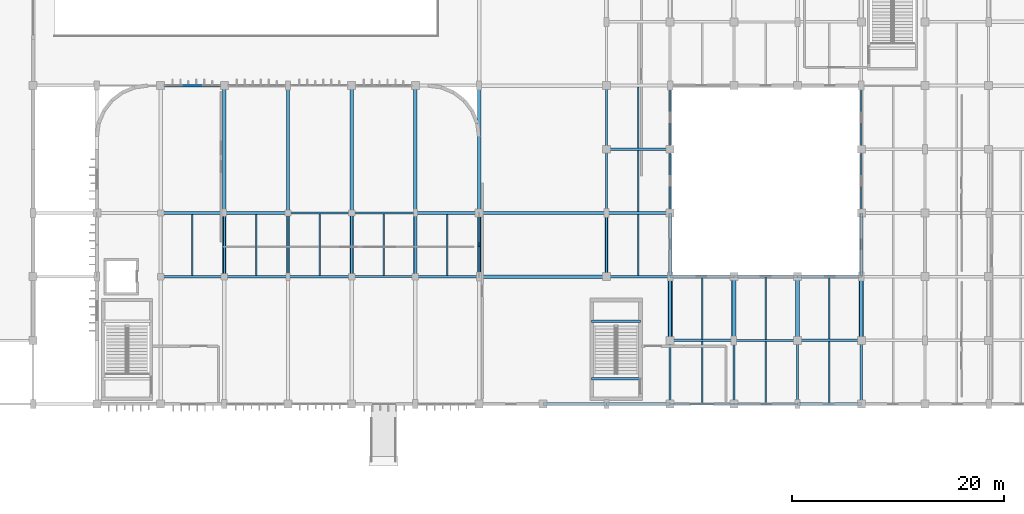
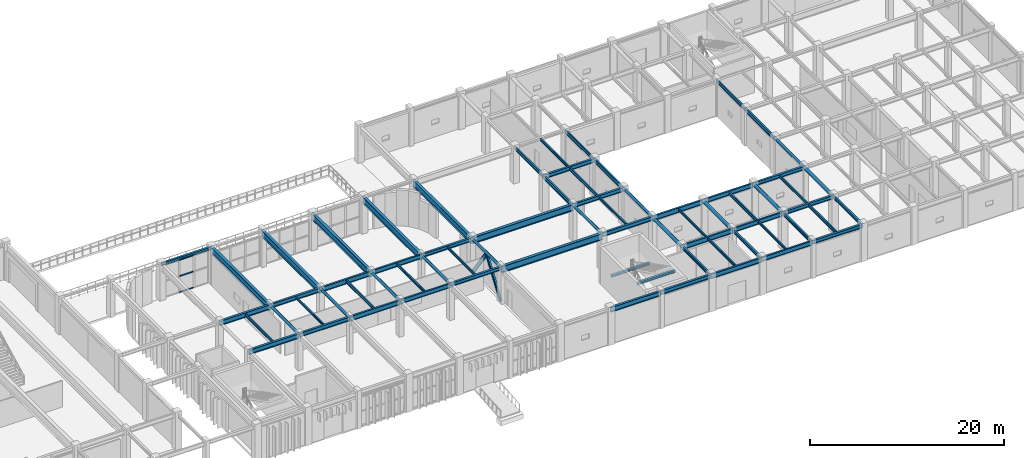
# One storey, part 26 of 76: 70 beams, 5 members, 1 element without a shape of its own.
"""IFC4 building model written with IfcOpenShell, lengths in metres."""

from ifc_helpers import new_model, si_unit, direction, frame, origin, origin_2d, place, context, subcontext, project, spatial, rectangle, hollow_circle, i_section, extrude, material, material_profile, profile_set, type_object, element, aggregate, save


model = new_model("IFC4")

# Units and contexts
model_context = context("Model", 3, precision=1e-05, world=origin(), true_north=direction((0.0, 1.0)))
body_context = subcontext(model_context, "Body", "Model", "MODEL_VIEW")
ifc_project = project(units=[si_unit("LENGTHUNIT", "METRE"), si_unit("AREAUNIT", "SQUARE_METRE"), si_unit("VOLUMEUNIT", "CUBIC_METRE"), si_unit("PLANEANGLEUNIT", "RADIAN"), si_unit("MASSUNIT", "GRAM", prefix="KILO")], contexts=[model_context])

# Site, building, storey
site_placement = place(None, origin())
site = spatial("IfcSite", under=ifc_project, at=site_placement, CompositionType="ELEMENT")
building_placement = place(site_placement, origin())
building = spatial("IfcBuilding", under=site, at=building_placement, Name="Varnakota Square Police Headquarters", CompositionType="ELEMENT")
storey_placement = place(building_placement, origin())
storey = spatial("IfcBuildingStorey", under=building, at=storey_placement, Name="L00", CompositionType="ELEMENT", Elevation=0.0)

# Beams
ifc_material_1 = material(Name="Steel IS 2062 Grade 350", Category="steel")
ifc_material_profile_1 = material_profile(ifc_material_1, hollow_circle(Radius=0.161865234375, WallThickness=0.0126953125, at=origin_2d()), Name="CHS 323.9x12.7")
ifc_profile_set_1 = profile_set([ifc_material_profile_1], Name="Steel IS 2062 Grade 350")
beam_type_1 = type_object("IfcBeamType", Name="BM-ARC-CHS324", PredefinedType="BEAM", material=ifc_profile_set_1)
for number, where, z_axis, x_axis, name in (
    (1, (72.0, 81.0, 4.337890625), (0.0, 1.0, 0.0), (-1.0, 0.0, 0.0), "BMG-L00-1053"),
    (2, (78.0, 81.0, 4.337890625), (0.0, 1.0, 0.0), (-1.0, 0.0, 0.0), "BMG-L00-1057"),
    (3, (84.0, 81.0, 4.337890625), (0.0, 1.0, 0.0), (-1.0, 0.0, 0.0), "BMG-L00-1061"),
    (4, (90.0, 81.0, 4.337890625), (0.0, 1.0, 0.0), (-1.0, 0.0, 0.0), "BMG-L00-1067"),
    (5, (96.0, 81.0, 4.337890625), (0.0, 1.0, 0.0), (-1.0, 0.0, 0.0), "BMG-L00-1076"),
    (6, (108.0, 81.0, 4.337890625), (0.0, 1.0, 0.0), (-1.0, 0.0, 0.0), "BMG-L00-1082"),
    (7, (114.0, 81.0, 4.337890625), (0.0, 1.0, 0.0), (-1.0, 0.0, 0.0), "BMG-L00-1091"),
    (8, (132.0, 81.0, 4.337890625), (0.0, 1.0, 0.0), (-1.0, 0.0, 0.0), "BMG-L00-1112"),
):
    element("IfcBeam", number, at=place(storey_placement, frame(where, z_axis=z_axis, x_axis=x_axis)), inside=storey, type_object=beam_type_1, Name=name, PredefinedType="BEAM", context=body_context, shape_type="SweptSolid", body=[
        extrude(hollow_circle(Radius=0.161865234375, WallThickness=0.0126953125, at=origin_2d()), origin(), (0.0, 0.0, 1.0), 6.0),
    ])
ifc_material_profile_2 = material_profile(ifc_material_1, hollow_circle(Radius=0.203125, WallThickness=0.01611328125, at=origin_2d()), Name="CHS 406.4x16.0")
ifc_profile_set_2 = profile_set([ifc_material_profile_2], Name="Steel IS 2062 Grade 350")
beam_type_2 = type_object("IfcBeamType", Name="BM-ARC-CHS406", PredefinedType="BEAM", material=ifc_profile_set_2)
for number, where, z_axis, x_axis, name in (
    (9, (114.0, 75.0, 4.296875), (0.0, 1.0, 0.0), (-1.0, 0.0, 0.0), "BMG-L00-1090"),
    (10, (120.0, 75.0, 4.296875), (0.0, 1.0, 0.0), (-1.0, 0.0, 0.0), "BMG-L00-1099"),
    (11, (126.0, 75.0, 4.296875), (0.0, 1.0, 0.0), (-1.0, 0.0, 0.0), "BMG-L00-1105"),
    (12, (132.0, 75.0, 4.296875), (0.0, 1.0, 0.0), (-1.0, 0.0, 0.0), "BMG-L00-1111"),
):
    element("IfcBeam", number, at=place(storey_placement, frame(where, z_axis=z_axis, x_axis=x_axis)), inside=storey, type_object=beam_type_2, Name=name, PredefinedType="BEAM", context=body_context, shape_type="SweptSolid", body=[
        extrude(hollow_circle(Radius=0.203125, WallThickness=0.01611328125, at=origin_2d()), origin(), (0.0, 0.0, 1.0), 6.0),
    ])
ifc_material_profile_3 = material_profile(ifc_material_1, i_section(OverallWidth=0.320068359375, OverallDepth=0.800048828125, WebThickness=0.01611328125, FlangeThickness=0.028076171875, at=origin_2d()), Name="BPG 800x320")
ifc_profile_set_3 = profile_set([ifc_material_profile_3], Name="Steel IS 2062 Grade 350")
beam_type_3 = type_object("IfcBeamType", Name="BM-BPG800", PredefinedType="BEAM", material=ifc_profile_set_3)
for number, where, z_axis, x_axis, name in (
    (13, (96.0, 81.0, 4.10009765625), (1.0, 0.0, 0.0), (0.0, 1.0, 0.0), "BMG-L00-0861"),
    (14, (96.0, 87.0, 4.10009765625), (1.0, 0.0, 0.0), (0.0, 1.0, 0.0), "BMG-L00-0878"),
    (15, (72.0, 87.0, 4.10009765625), (0.0, 1.0, 0.0), (-1.0, 0.0, 0.0), "BMG-L00-1054"),
    (16, (78.0, 87.0, 4.10009765625), (0.0, 1.0, 0.0), (-1.0, 0.0, 0.0), "BMG-L00-1058"),
    (17, (84.0, 87.0, 4.10009765625), (0.0, 1.0, 0.0), (-1.0, 0.0, 0.0), "BMG-L00-1062"),
    (18, (90.0, 87.0, 4.10009765625), (0.0, 1.0, 0.0), (-1.0, 0.0, 0.0), "BMG-L00-1068"),
    (19, (96.0, 87.0, 4.10009765625), (0.0, 1.0, 0.0), (-1.0, 0.0, 0.0), "BMG-L00-1077"),
):
    element("IfcBeam", number, at=place(storey_placement, frame(where, z_axis=z_axis, x_axis=x_axis)), inside=storey, type_object=beam_type_3, Name=name, PredefinedType="BEAM", context=body_context, shape_type="SweptSolid", body=[
        extrude(i_section(OverallWidth=0.320068359375, OverallDepth=0.800048828125, WebThickness=0.01611328125, FlangeThickness=0.028076171875, at=origin_2d()), origin(), (0.0, 0.0, 1.0), 12.0),
    ])
ifc_material_profile_4 = material_profile(ifc_material_1, i_section(OverallWidth=0.25, OverallDepth=0.300048828125, WebThickness=0.009521484375, FlangeThickness=0.010498046875, FilletRadius=0.011962890625, at=origin_2d()), Name="ISHB 300")
ifc_profile_set_4 = profile_set([ifc_material_profile_4], Name="Steel IS 2062 Grade 350")
beam_type_4 = type_object("IfcBeamType", Name="BM-ISHB300", PredefinedType="BEAM", material=ifc_profile_set_4)
for number, where, z_axis, x_axis, name in (
    (20, (106.60009765625, 76.80078125, 2.087890625), (1.0, 0.0, 0.0), (0.0, 1.0, 0.0), "Stair landing support beam BM-LND-0095"),
    (21, (106.60009765625, 71.400146484375, 4.429931640625), (1.0, 0.0, 0.0), (0.0, 1.0, 0.0), "Stair landing support beam BM-LND-0096"),
):
    element("IfcBeam", number, at=place(storey_placement, frame(where, z_axis=z_axis, x_axis=x_axis)), inside=storey, type_object=beam_type_4, Name=name, PredefinedType="BEAM", context=body_context, shape_type="SweptSolid", body=[
        extrude(i_section(OverallWidth=0.25, OverallDepth=0.300048828125, WebThickness=0.009521484375, FlangeThickness=0.010498046875, FilletRadius=0.011962890625, at=origin_2d()), origin(), (0.0, 0.0, 1.0), 4.599853515625),
    ])
ifc_material_profile_5 = material_profile(ifc_material_1, i_section(OverallWidth=0.25, OverallDepth=0.35009765625, WebThickness=0.010009765625, FlangeThickness=0.01171875, FilletRadius=0.011962890625, at=origin_2d()), Name="ISHB 350")
ifc_profile_set_5 = profile_set([ifc_material_profile_5], Name="Steel IS 2062 Grade 350")
beam_type_5 = type_object("IfcBeamType", Name="BM-ISHB350", PredefinedType="BEAM", material=ifc_profile_set_5)
beam_1_placement = place(storey_placement, frame((66.0, 99.0, 4.324951171875), z_axis=(1.0, 0.0, 0.0), x_axis=(0.0, 1.0, 0.0)))
element("IfcBeam", 22, at=beam_1_placement, inside=storey, type_object=beam_type_5, Name="BMG-L00-0893", PredefinedType="BEAM", context=body_context, shape_type="SweptSolid", body=[
    extrude(i_section(OverallWidth=0.25, OverallDepth=0.35009765625, WebThickness=0.010009765625, FlangeThickness=0.01171875, FilletRadius=0.011962890625, at=origin_2d()), origin(), (0.0, 0.0, 1.0), 6.0),
])
ifc_material_profile_6 = material_profile(ifc_material_1, i_section(OverallWidth=0.25, OverallDepth=0.449951171875, WebThickness=0.01123046875, FlangeThickness=0.013671875, FilletRadius=0.014892578125, at=origin_2d()), Name="ISHB 450")
ifc_profile_set_6 = profile_set([ifc_material_profile_6], Name="Steel IS 2062 Grade 350")
beam_type_6 = type_object("IfcBeamType", Name="BM-ISHB450", PredefinedType="BEAM", material=ifc_profile_set_6)
for number, where, z_axis, x_axis, name in (
    (23, (126.0, 69.0, 4.27490234375), (1.0, 0.0, 0.0), (0.0, 1.0, 0.0), "BMG-L00-0834"),
    (24, (126.0, 75.0, 4.27490234375), (1.0, 0.0, 0.0), (0.0, 1.0, 0.0), "BMG-L00-0849"),
    (25, (90.0, 81.0, 4.27490234375), (1.0, 0.0, 0.0), (0.0, 1.0, 0.0), "BMG-L00-0860"),
    (26, (126.0, 81.0, 4.27490234375), (1.0, 0.0, 0.0), (0.0, 1.0, 0.0), "BMG-L00-0865"),
    (27, (90.0, 87.0, 4.27490234375), (1.0, 0.0, 0.0), (0.0, 1.0, 0.0), "BMG-L00-0877"),
):
    element("IfcBeam", number, at=place(storey_placement, frame(where, z_axis=z_axis, x_axis=x_axis)), inside=storey, type_object=beam_type_6, Name=name, PredefinedType="BEAM", context=body_context, shape_type="SweptSolid", body=[
        extrude(i_section(OverallWidth=0.25, OverallDepth=0.449951171875, WebThickness=0.01123046875, FlangeThickness=0.013671875, FilletRadius=0.014892578125, at=origin_2d()), origin(), (0.0, 0.0, 1.0), 6.0),
    ])
ifc_material_profile_7 = material_profile(ifc_material_1, i_section(OverallWidth=0.139892578125, OverallDepth=0.300048828125, WebThickness=0.0078125, FlangeThickness=0.01318359375, FilletRadius=0.013916015625, at=origin_2d()), Name="ISMB 300")
ifc_profile_set_7 = profile_set([ifc_material_profile_7], Name="Steel IS 2062 Grade 350")
beam_type_7 = type_object("IfcBeamType", Name="BM-ISMB300", PredefinedType="JOIST", material=ifc_profile_set_7)
for number, where, z_axis, x_axis, name in (
    (28, (75.0, 81.123046875, 4.35009765625), (0.0, 1.0, 0.0), (-1.0, 0.0, 0.0), "BMG-L00-1247"),
    (29, (93.0, 81.123046875, 4.35009765625), (0.0, 1.0, 0.0), (-1.0, 0.0, 0.0), "BMG-L00-1255"),
    (30, (111.0, 81.123046875, 4.35009765625), (0.0, 1.0, 0.0), (-1.0, 0.0, 0.0), "BMG-L00-1258"),
):
    element("IfcBeam", number, at=place(storey_placement, frame(where, z_axis=z_axis, x_axis=x_axis)), inside=storey, type_object=beam_type_7, Name=name, PredefinedType="JOIST", context=body_context, shape_type="SweptSolid", body=[
        extrude(i_section(OverallWidth=0.139892578125, OverallDepth=0.300048828125, WebThickness=0.0078125, FlangeThickness=0.01318359375, FilletRadius=0.013916015625, at=origin_2d()), origin(), (0.0, 0.0, 1.0), 5.75390625),
    ])
beam_2_placement = place(storey_placement, frame((117.0, 75.10302734375, 4.35009765625), z_axis=(0.0, 1.0, 0.0), x_axis=(-1.0, 0.0, 0.0)))
element("IfcBeam", 31, at=beam_2_placement, inside=storey, type_object=beam_type_7, Name="BMG-L00-1264", PredefinedType="JOIST", context=body_context, shape_type="SweptSolid", body=[
    extrude(i_section(OverallWidth=0.139892578125, OverallDepth=0.300048828125, WebThickness=0.0078125, FlangeThickness=0.01318359375, FilletRadius=0.013916015625, at=origin_2d()), origin(), (0.0, 0.0, 1.0), 5.7939453125),
])
beam_3_placement = place(storey_placement, frame((123.0, 69.093017578125, 4.35009765625), z_axis=(0.0, 1.0, 0.0), x_axis=(-1.0, 0.0, 0.0)))
element("IfcBeam", 32, at=beam_3_placement, inside=storey, type_object=beam_type_7, Name="BMG-L00-1267", PredefinedType="JOIST", context=body_context, shape_type="SweptSolid", body=[
    extrude(i_section(OverallWidth=0.139892578125, OverallDepth=0.300048828125, WebThickness=0.0078125, FlangeThickness=0.01318359375, FilletRadius=0.013916015625, at=origin_2d()), origin(), (0.0, 0.0, 1.0), 5.81396484375),
])
ifc_material_profile_8 = material_profile(ifc_material_1, i_section(OverallWidth=0.139892578125, OverallDepth=0.35009765625, WebThickness=0.008056640625, FlangeThickness=0.01416015625, FilletRadius=0.013916015625, at=origin_2d()), Name="ISMB 350")
ifc_profile_set_8 = profile_set([ifc_material_profile_8], Name="Steel IS 2062 Grade 350")
beam_type_8 = type_object("IfcBeamType", Name="BM-ISMB350", PredefinedType="JOIST", material=ifc_profile_set_8)
beam_4_placement = place(storey_placement, frame((69.0, 81.123046875, 4.324951171875), z_axis=(0.0, 1.0, 0.0), x_axis=(-1.0, 0.0, 0.0)))
element("IfcBeam", 33, at=beam_4_placement, inside=storey, type_object=beam_type_8, Name="BMG-L00-1245", PredefinedType="JOIST", context=body_context, shape_type="SweptSolid", body=[
    extrude(i_section(OverallWidth=0.139892578125, OverallDepth=0.35009765625, WebThickness=0.008056640625, FlangeThickness=0.01416015625, FilletRadius=0.013916015625, at=origin_2d()), origin(), (0.0, 0.0, 1.0), 5.75390625),
])
beam_5_placement = place(storey_placement, frame((87.0, 81.093017578125, 4.324951171875), z_axis=(0.0, 1.0, 0.0), x_axis=(-1.0, 0.0, 0.0)))
element("IfcBeam", 34, at=beam_5_placement, inside=storey, type_object=beam_type_8, Name="BMG-L00-1251", PredefinedType="JOIST", context=body_context, shape_type="SweptSolid", body=[
    extrude(i_section(OverallWidth=0.139892578125, OverallDepth=0.35009765625, WebThickness=0.008056640625, FlangeThickness=0.01416015625, FilletRadius=0.013916015625, at=origin_2d()), origin(), (0.0, 0.0, 1.0), 5.81396484375),
])
beam_6_placement = place(storey_placement, frame((111.0, 93.123046875, 4.324951171875), z_axis=(0.0, 1.0, 0.0), x_axis=(-1.0, 0.0, 0.0)))
element("IfcBeam", 35, at=beam_6_placement, inside=storey, type_object=beam_type_8, Name="BMG-L00-1260", PredefinedType="JOIST", context=body_context, shape_type="SweptSolid", body=[
    extrude(i_section(OverallWidth=0.139892578125, OverallDepth=0.35009765625, WebThickness=0.008056640625, FlangeThickness=0.01416015625, FilletRadius=0.013916015625, at=origin_2d()), origin(), (0.0, 0.0, 1.0), 5.75390625),
])
beam_7_placement = place(storey_placement, frame((117.0, 69.10302734375, 4.324951171875), z_axis=(0.0, 1.0, 0.0), x_axis=(-1.0, 0.0, 0.0)))
element("IfcBeam", 36, at=beam_7_placement, inside=storey, type_object=beam_type_8, Name="BMG-L00-1263", PredefinedType="JOIST", context=body_context, shape_type="SweptSolid", body=[
    extrude(i_section(OverallWidth=0.139892578125, OverallDepth=0.35009765625, WebThickness=0.008056640625, FlangeThickness=0.01416015625, FilletRadius=0.013916015625, at=origin_2d()), origin(), (0.0, 0.0, 1.0), 5.7939453125),
])
beam_8_placement = place(storey_placement, frame((129.0, 75.123046875, 4.324951171875), z_axis=(0.0, 1.0, 0.0), x_axis=(-1.0, 0.0, 0.0)))
element("IfcBeam", 37, at=beam_8_placement, inside=storey, type_object=beam_type_8, Name="BMG-L00-1271", PredefinedType="JOIST", context=body_context, shape_type="SweptSolid", body=[
    extrude(i_section(OverallWidth=0.139892578125, OverallDepth=0.35009765625, WebThickness=0.008056640625, FlangeThickness=0.01416015625, FilletRadius=0.013916015625, at=origin_2d()), origin(), (0.0, 0.0, 1.0), 5.75390625),
])
ifc_material_profile_9 = material_profile(ifc_material_1, i_section(OverallWidth=0.139892578125, OverallDepth=0.39990234375, WebThickness=0.0087890625, FlangeThickness=0.01611328125, FilletRadius=0.013916015625, at=origin_2d()), Name="ISMB 400")
ifc_profile_set_9 = profile_set([ifc_material_profile_9], Name="Steel IS 2062 Grade 350")
beam_type_9 = type_object("IfcBeamType", Name="BM-ISMB400", PredefinedType="JOIST", material=ifc_profile_set_9)
beam_9_placement = place(storey_placement, frame((81.0, 81.10302734375, 4.300048828125), z_axis=(0.0, 1.0, 0.0), x_axis=(-1.0, 0.0, 0.0)))
element("IfcBeam", 38, at=beam_9_placement, inside=storey, type_object=beam_type_9, Name="BMG-L00-1249", PredefinedType="JOIST", context=body_context, shape_type="SweptSolid", body=[
    extrude(i_section(OverallWidth=0.139892578125, OverallDepth=0.39990234375, WebThickness=0.0087890625, FlangeThickness=0.01611328125, FilletRadius=0.013916015625, at=origin_2d()), origin(), (0.0, 0.0, 1.0), 5.7939453125),
])
beam_10_placement = place(storey_placement, frame((111.0, 87.123046875, 4.300048828125), z_axis=(0.0, 1.0, 0.0), x_axis=(-1.0, 0.0, 0.0)))
element("IfcBeam", 39, at=beam_10_placement, inside=storey, type_object=beam_type_9, Name="BMG-L00-1259", PredefinedType="JOIST", context=body_context, shape_type="SweptSolid", body=[
    extrude(i_section(OverallWidth=0.139892578125, OverallDepth=0.39990234375, WebThickness=0.0087890625, FlangeThickness=0.01611328125, FilletRadius=0.013916015625, at=origin_2d()), origin(), (0.0, 0.0, 1.0), 5.75390625),
])
beam_11_placement = place(storey_placement, frame((123.0, 75.093017578125, 4.300048828125), z_axis=(0.0, 1.0, 0.0), x_axis=(-1.0, 0.0, 0.0)))
element("IfcBeam", 40, at=beam_11_placement, inside=storey, type_object=beam_type_9, Name="BMG-L00-1268", PredefinedType="JOIST", context=body_context, shape_type="SweptSolid", body=[
    extrude(i_section(OverallWidth=0.139892578125, OverallDepth=0.39990234375, WebThickness=0.0087890625, FlangeThickness=0.01611328125, FilletRadius=0.013916015625, at=origin_2d()), origin(), (0.0, 0.0, 1.0), 5.81396484375),
])
beam_12_placement = place(storey_placement, frame((129.0, 69.123046875, 4.300048828125), z_axis=(0.0, 1.0, 0.0), x_axis=(-1.0, 0.0, 0.0)))
element("IfcBeam", 41, at=beam_12_placement, inside=storey, type_object=beam_type_9, Name="BMG-L00-1270", PredefinedType="JOIST", context=body_context, shape_type="SweptSolid", body=[
    extrude(i_section(OverallWidth=0.139892578125, OverallDepth=0.39990234375, WebThickness=0.0087890625, FlangeThickness=0.01611328125, FilletRadius=0.013916015625, at=origin_2d()), origin(), (0.0, 0.0, 1.0), 5.75390625),
])
ifc_material_profile_10 = material_profile(ifc_material_1, i_section(OverallWidth=0.14990234375, OverallDepth=0.449951171875, WebThickness=0.009521484375, FlangeThickness=0.017333984375, FilletRadius=0.014892578125, at=origin_2d()), Name="ISMB 450")
ifc_profile_set_10 = profile_set([ifc_material_profile_10], Name="Steel IS 2062 Grade 350")
beam_type_10 = type_object("IfcBeamType", Name="BM-ISMB450", PredefinedType="BEAM", material=ifc_profile_set_10)
for number, where, z_axis, x_axis, name in (
    (42, (108.0, 93.0, 4.27490234375), (0.0, 1.0, 0.0), (-1.0, 0.0, 0.0), "BMG-L00-1084"),
    (43, (114.0, 93.0, 4.27490234375), (0.0, 1.0, 0.0), (-1.0, 0.0, 0.0), "BMG-L00-1093"),
    (44, (132.0, 93.0, 4.27490234375), (0.0, 1.0, 0.0), (-1.0, 0.0, 0.0), "BMG-L00-1114"),
):
    element("IfcBeam", number, at=place(storey_placement, frame(where, z_axis=z_axis, x_axis=x_axis)), inside=storey, type_object=beam_type_10, Name=name, PredefinedType="BEAM", context=body_context, shape_type="SweptSolid", body=[
        extrude(i_section(OverallWidth=0.14990234375, OverallDepth=0.449951171875, WebThickness=0.009521484375, FlangeThickness=0.017333984375, FilletRadius=0.014892578125, at=origin_2d()), origin(), (0.0, 0.0, 1.0), 6.0),
    ])
ifc_material_profile_11 = material_profile(ifc_material_1, i_section(OverallWidth=0.179931640625, OverallDepth=0.5, WebThickness=0.01025390625, FlangeThickness=0.01708984375, FilletRadius=0.01708984375, at=origin_2d()), Name="ISMB 500")
ifc_profile_set_11 = profile_set([ifc_material_profile_11], Name="Steel IS 2062 Grade 350")
beam_type_11 = type_object("IfcBeamType", Name="BM-ISMB500", PredefinedType="BEAM", material=ifc_profile_set_11)
for number, where, z_axis, x_axis, name in (
    (45, (108.0, 87.0, 4.25), (0.0, 1.0, 0.0), (-1.0, 0.0, 0.0), "BMG-L00-1083"),
    (46, (114.0, 87.0, 4.25), (0.0, 1.0, 0.0), (-1.0, 0.0, 0.0), "BMG-L00-1092"),
    (47, (132.0, 87.0, 4.25), (0.0, 1.0, 0.0), (-1.0, 0.0, 0.0), "BMG-L00-1113"),
):
    element("IfcBeam", number, at=place(storey_placement, frame(where, z_axis=z_axis, x_axis=x_axis)), inside=storey, type_object=beam_type_11, Name=name, PredefinedType="BEAM", context=body_context, shape_type="SweptSolid", body=[
        extrude(i_section(OverallWidth=0.179931640625, OverallDepth=0.5, WebThickness=0.01025390625, FlangeThickness=0.01708984375, FilletRadius=0.01708984375, at=origin_2d()), origin(), (0.0, 0.0, 1.0), 6.0),
    ])
ifc_material_profile_12 = material_profile(ifc_material_1, i_section(OverallWidth=0.18994140625, OverallDepth=0.550048828125, WebThickness=0.01123046875, FlangeThickness=0.019287109375, FilletRadius=0.01806640625, at=origin_2d()), Name="ISMB 550")
ifc_profile_set_12 = profile_set([ifc_material_profile_12], Name="Steel IS 2062 Grade 350")
beam_type_12 = type_object("IfcBeamType", Name="BM-ISMB550", PredefinedType="BEAM", material=ifc_profile_set_12)
for number, where, z_axis, x_axis, name in (
    (48, (120.0, 69.0, 4.22509765625), (1.0, 0.0, 0.0), (0.0, 1.0, 0.0), "BMG-L00-0833"),
    (49, (120.0, 75.0, 4.22509765625), (1.0, 0.0, 0.0), (0.0, 1.0, 0.0), "BMG-L00-0848"),
    (50, (84.0, 81.0, 4.22509765625), (1.0, 0.0, 0.0), (0.0, 1.0, 0.0), "BMG-L00-0859"),
    (51, (120.0, 81.0, 4.22509765625), (1.0, 0.0, 0.0), (0.0, 1.0, 0.0), "BMG-L00-0864"),
    (52, (84.0, 87.0, 4.22509765625), (1.0, 0.0, 0.0), (0.0, 1.0, 0.0), "BMG-L00-0876"),
):
    element("IfcBeam", number, at=place(storey_placement, frame(where, z_axis=z_axis, x_axis=x_axis)), inside=storey, type_object=beam_type_12, Name=name, PredefinedType="BEAM", context=body_context, shape_type="SweptSolid", body=[
        extrude(i_section(OverallWidth=0.18994140625, OverallDepth=0.550048828125, WebThickness=0.01123046875, FlangeThickness=0.019287109375, FilletRadius=0.01806640625, at=origin_2d()), origin(), (0.0, 0.0, 1.0), 6.0),
    ])
ifc_material_profile_13 = material_profile(ifc_material_1, i_section(OverallWidth=0.2099609375, OverallDepth=0.60009765625, WebThickness=0.011962890625, FlangeThickness=0.020751953125, FilletRadius=0.02001953125, at=origin_2d()), Name="ISMB 600")
ifc_profile_set_13 = profile_set([ifc_material_profile_13], Name="Steel IS 2062 Grade 350")
beam_type_13 = type_object("IfcBeamType", Name="BM-ISMB600", PredefinedType="BEAM", material=ifc_profile_set_13)
for number, where, z_axis, x_axis, name in (
    (53, (114.0, 69.0, 4.199951171875), (1.0, 0.0, 0.0), (0.0, 1.0, 0.0), "BMG-L00-0832"),
    (54, (114.0, 75.0, 4.199951171875), (1.0, 0.0, 0.0), (0.0, 1.0, 0.0), "BMG-L00-0847"),
    (55, (78.0, 81.0, 4.199951171875), (1.0, 0.0, 0.0), (0.0, 1.0, 0.0), "BMG-L00-0858"),
    (56, (114.0, 81.0, 4.199951171875), (1.0, 0.0, 0.0), (0.0, 1.0, 0.0), "BMG-L00-0863"),
    (57, (78.0, 87.0, 4.199951171875), (1.0, 0.0, 0.0), (0.0, 1.0, 0.0), "BMG-L00-0875"),
):
    element("IfcBeam", number, at=place(storey_placement, frame(where, z_axis=z_axis, x_axis=x_axis)), inside=storey, type_object=beam_type_13, Name=name, PredefinedType="BEAM", context=body_context, shape_type="SweptSolid", body=[
        extrude(i_section(OverallWidth=0.2099609375, OverallDepth=0.60009765625, WebThickness=0.011962890625, FlangeThickness=0.020751953125, FilletRadius=0.02001953125, at=origin_2d()), origin(), (0.0, 0.0, 1.0), 6.0),
    ])
ifc_material_profile_14 = material_profile(ifc_material_1, i_section(OverallWidth=0.199951171875, OverallDepth=0.39990234375, WebThickness=0.008544921875, FlangeThickness=0.012939453125, FilletRadius=0.012939453125, at=origin_2d()), Name="ISWB 400")
ifc_profile_set_14 = profile_set([ifc_material_profile_14], Name="Steel IS 2062 Grade 350")
beam_type_14 = type_object("IfcBeamType", Name="BM-ISWB400", PredefinedType="BEAM", material=ifc_profile_set_14)
for number, where, z_axis, x_axis, name in (
    (58, (114.0, 69.0, 4.300048828125), (0.0, 1.0, 0.0), (-1.0, 0.0, 0.0), "BMG-L00-1089"),
    (59, (120.0, 69.0, 4.300048828125), (0.0, 1.0, 0.0), (-1.0, 0.0, 0.0), "BMG-L00-1098"),
    (60, (126.0, 69.0, 4.300048828125), (0.0, 1.0, 0.0), (-1.0, 0.0, 0.0), "BMG-L00-1104"),
    (61, (132.0, 69.0, 4.300048828125), (0.0, 1.0, 0.0), (-1.0, 0.0, 0.0), "BMG-L00-1110"),
):
    element("IfcBeam", number, at=place(storey_placement, frame(where, z_axis=z_axis, x_axis=x_axis)), inside=storey, type_object=beam_type_14, Name=name, PredefinedType="BEAM", context=body_context, shape_type="SweptSolid", body=[
        extrude(i_section(OverallWidth=0.199951171875, OverallDepth=0.39990234375, WebThickness=0.008544921875, FlangeThickness=0.012939453125, FilletRadius=0.012939453125, at=origin_2d()), origin(), (0.0, 0.0, 1.0), 6.0),
    ])
ifc_material_profile_15 = material_profile(ifc_material_1, i_section(OverallWidth=0.25, OverallDepth=0.5, WebThickness=0.010009765625, FlangeThickness=0.0146484375, FilletRadius=0.014892578125, at=origin_2d()), Name="ISWB 500")
ifc_profile_set_15 = profile_set([ifc_material_profile_15], Name="Steel IS 2062 Grade 350")
beam_type_15 = type_object("IfcBeamType", Name="BM-ISWB500", PredefinedType="BEAM", material=ifc_profile_set_15)
for number, where, z_axis, x_axis, name in (
    (62, (108.0, 69.0, 4.25), (1.0, 0.0, 0.0), (0.0, 1.0, 0.0), "BMG-L00-0831"),
    (63, (72.0, 81.0, 4.25), (1.0, 0.0, 0.0), (0.0, 1.0, 0.0), "BMG-L00-0857"),
    (64, (108.0, 81.0, 4.25), (1.0, 0.0, 0.0), (0.0, 1.0, 0.0), "BMG-L00-0862"),
    (65, (72.0, 87.0, 4.25), (1.0, 0.0, 0.0), (0.0, 1.0, 0.0), "BMG-L00-0874"),
    (66, (108.0, 87.0, 4.25), (1.0, 0.0, 0.0), (0.0, 1.0, 0.0), "BMG-L00-0879"),
    (67, (108.0, 93.0, 4.25), (1.0, 0.0, 0.0), (0.0, 1.0, 0.0), "BMG-L00-0885"),
):
    element("IfcBeam", number, at=place(storey_placement, frame(where, z_axis=z_axis, x_axis=x_axis)), inside=storey, type_object=beam_type_15, Name=name, PredefinedType="BEAM", context=body_context, shape_type="SweptSolid", body=[
        extrude(i_section(OverallWidth=0.25, OverallDepth=0.5, WebThickness=0.010009765625, FlangeThickness=0.0146484375, FilletRadius=0.014892578125, at=origin_2d()), origin(), (0.0, 0.0, 1.0), 6.0),
    ])
ifc_material_profile_16 = material_profile(ifc_material_1, i_section(OverallWidth=0.25, OverallDepth=0.60009765625, WebThickness=0.01171875, FlangeThickness=0.023681640625, FilletRadius=0.01708984375, at=origin_2d()), Name="ISWB 600")
ifc_profile_set_16 = profile_set([ifc_material_profile_16], Name="Steel IS 2062 Grade 350")
beam_type_16 = type_object("IfcBeamType", Name="BM-ISWB600", PredefinedType="BEAM", material=ifc_profile_set_16)
for number, where, z_axis, x_axis, name in (
    (68, (102.0, 69.0, 4.199951171875), (1.0, 0.0, 0.0), (0.0, 1.0, 0.0), "BMG-L00-0830"),
    (69, (66.0, 81.0, 4.199951171875), (1.0, 0.0, 0.0), (0.0, 1.0, 0.0), "BMG-L00-0856"),
    (70, (66.0, 87.0, 4.199951171875), (1.0, 0.0, 0.0), (0.0, 1.0, 0.0), "BMG-L00-0873"),
):
    element("IfcBeam", number, at=place(storey_placement, frame(where, z_axis=z_axis, x_axis=x_axis)), inside=storey, type_object=beam_type_16, Name=name, PredefinedType="BEAM", context=body_context, shape_type="SweptSolid", body=[
        extrude(i_section(OverallWidth=0.25, OverallDepth=0.60009765625, WebThickness=0.01171875, FlangeThickness=0.023681640625, FilletRadius=0.01708984375, at=origin_2d()), origin(), (0.0, 0.0, 1.0), 6.0),
    ])

# Curtain wall, members
ifc_material_2 = material(Name="Anodised Aluminium Framing", Category="aluminium")
curtain_wall_type = type_object("IfcCurtainWallType", Name="CW-SYS-C", PredefinedType="NOTDEFINED", material=ifc_material_2)
curtain_wall_placement = place(storey_placement, origin())
curtain_wall = element("IfcCurtainWall", 71, at=curtain_wall_placement, inside=storey, type_object=curtain_wall_type, Name="Unitised curtain wall CWG-L00-223", PredefinedType="NOTDEFINED")
ifc_material_3 = material(Name="Anodised Aluminium 6063-T6", Category="aluminium")
ifc_material_profile_17 = material_profile(ifc_material_3, rectangle(XDim=0.074951171875, YDim=0.159912109375, at=origin_2d()), Name="ALU TRANSOM 75x160")
ifc_profile_set_17 = profile_set([ifc_material_profile_17], Name="Anodised Aluminium 6063-T6")
member_type_1 = type_object("IfcMemberType", Name="CWT-150", PredefinedType="USERDEFINED", material=ifc_profile_set_17)
member_1_placement = place(storey_placement, frame((68.1640625, 99.0, 0.03759765625), z_axis=(1.0, 0.0, 0.0), x_axis=(0.0, 1.0, 0.0)))
member_1 = element("IfcMember", 72, at=member_1_placement, type_object=member_type_1, Name="CWG-L00-223 transom 2.1", ObjectType="TRANSOM", PredefinedType="USERDEFINED", context=body_context, shape_type="SweptSolid", body=[
    extrude(rectangle(XDim=0.074951171875, YDim=0.159912109375, at=origin_2d()), origin(), (0.0, 0.0, 1.0), 1.671875),
])
member_2_placement = place(storey_placement, frame((68.1640625, 99.0, 2.070068359375), z_axis=(1.0, 0.0, 0.0), x_axis=(0.0, 1.0, 0.0)))
member_2 = element("IfcMember", 73, at=member_2_placement, type_object=member_type_1, Name="CWG-L00-223 transom 2.2", ObjectType="TRANSOM", PredefinedType="USERDEFINED", context=body_context, shape_type="SweptSolid", body=[
    extrude(rectangle(XDim=0.074951171875, YDim=0.159912109375, at=origin_2d()), origin(), (0.0, 0.0, 1.0), 1.671875),
])
member_3_placement = place(storey_placement, frame((68.1640625, 99.0, 4.1025390625), z_axis=(1.0, 0.0, 0.0), x_axis=(0.0, 1.0, 0.0)))
member_3 = element("IfcMember", 74, at=member_3_placement, type_object=member_type_1, Name="CWG-L00-223 transom 2.3", ObjectType="TRANSOM", PredefinedType="USERDEFINED", context=body_context, shape_type="SweptSolid", body=[
    extrude(rectangle(XDim=0.074951171875, YDim=0.159912109375, at=origin_2d()), origin(), (0.0, 0.0, 1.0), 1.671875),
])
aggregate(curtain_wall, [member_1, member_2, member_3])

# Members
ifc_material_profile_18 = material_profile(ifc_material_1, i_section(OverallWidth=0.199951171875, OverallDepth=0.39990234375, WebThickness=0.008544921875, FlangeThickness=0.012939453125, FilletRadius=0.012939453125, at=origin_2d()), Name="ISWB 400")
ifc_profile_set_18 = profile_set([ifc_material_profile_18], Name="Steel IS 2062 Grade 350")
member_type_2 = type_object("IfcMemberType", Name="MEM-BR-ISWB400", PredefinedType="BRACE", material=ifc_profile_set_18)
for number, where, z_axis, x_axis, name in (
    (75, (96.0, 81.050048828125, 0.02001953125), (0.0, 0.57202533685, 0.8202359502), (-1.0, 0.0, 0.0), "Lateral brace BF6 L00 left"),
    (76, (96.0, 86.949951171875, 0.02001953125), (0.0, -0.57202533685, 0.8202359502), (1.0, 0.0, 0.0), "Lateral brace BF6 L00 right"),
):
    element("IfcMember", number, at=place(storey_placement, frame(where, z_axis=z_axis, x_axis=x_axis)), inside=storey, type_object=member_type_2, Name=name, PredefinedType="BRACE", context=body_context, shape_type="SweptSolid", body=[
        extrude(i_section(OverallWidth=0.199951171875, OverallDepth=0.39990234375, WebThickness=0.008544921875, FlangeThickness=0.012939453125, FilletRadius=0.012939453125, at=origin_2d()), origin(), (0.0, 0.0, 1.0), 5.156982421875),
    ])

save(model, "model.ifc")
